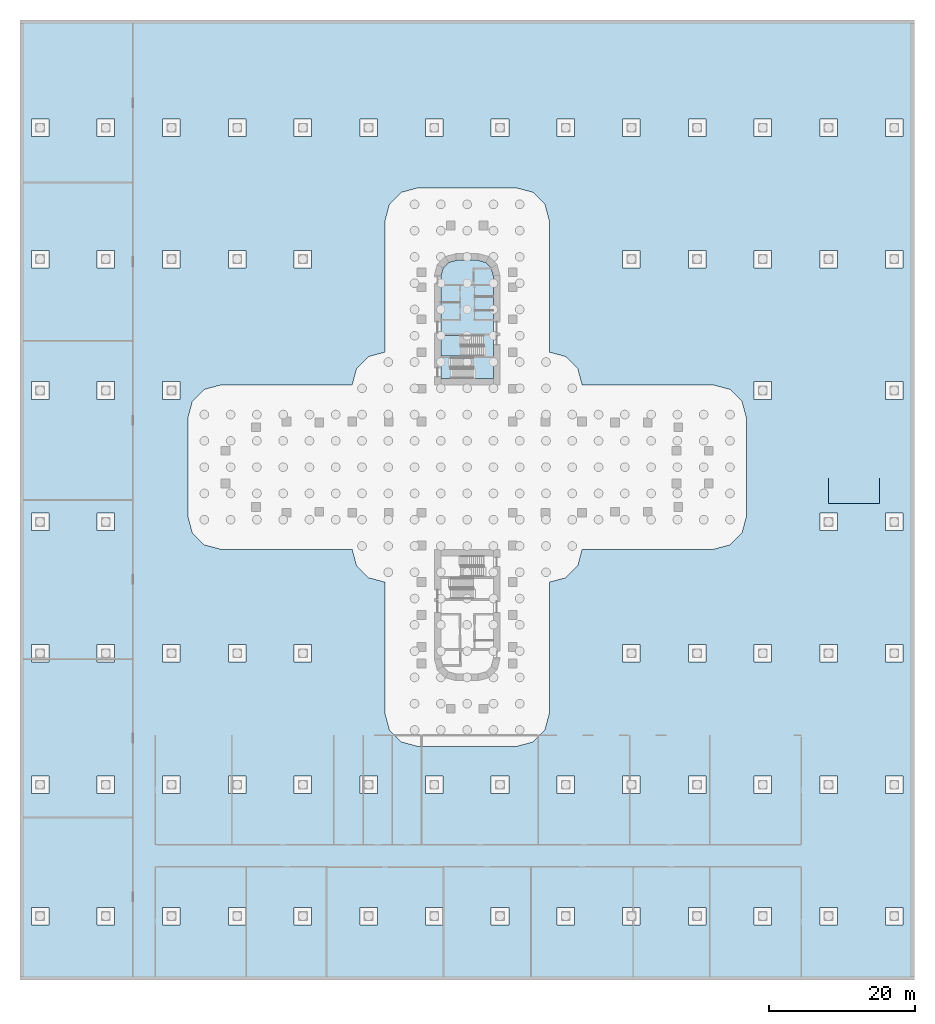
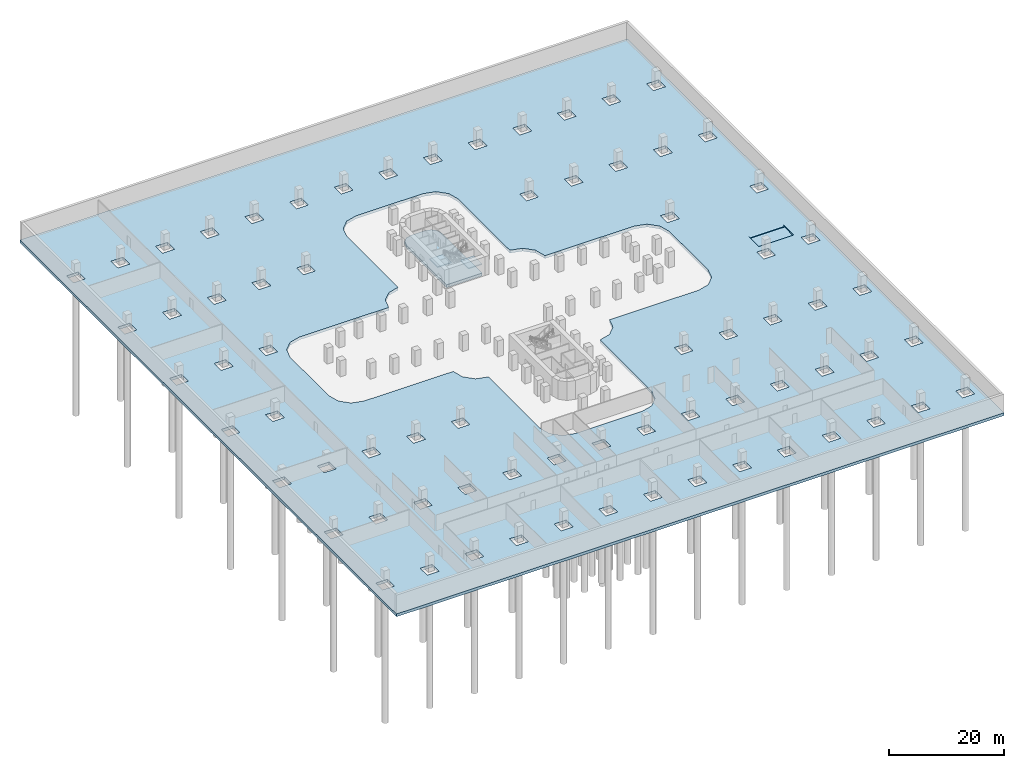
# One storey, part 3 of 14: 4 slabs, 2 openings, 2 elements without a shape of their own.
"""IFC4 building model written with IfcOpenShell, lengths in metres."""

from ifc_helpers import new_model, si_unit, direction, frame, origin, place, context, subcontext, project, spatial, polyline, outline, extrude, material, layer, layer_set, type_object, element, aggregate, save


model = new_model("IFC4")

# Units and contexts
model_context = context("Model", 3, precision=1e-05, world=origin(), true_north=direction((0.0, 1.0)))
body_context = subcontext(model_context, "Body", "Model", "MODEL_VIEW")
ifc_project = project(units=[si_unit("LENGTHUNIT", "METRE"), si_unit("AREAUNIT", "SQUARE_METRE"), si_unit("VOLUMEUNIT", "CUBIC_METRE"), si_unit("PLANEANGLEUNIT", "RADIAN"), si_unit("MASSUNIT", "GRAM", prefix="KILO")], contexts=[model_context])

# Site, building, storey
site_placement = place(None, origin())
site = spatial("IfcSite", under=ifc_project, at=site_placement, CompositionType="ELEMENT")
building_placement = place(site_placement, origin())
building = spatial("IfcBuilding", under=site, at=building_placement, Name="Zarbagh Exchange Tower", CompositionType="ELEMENT")
storey_placement = place(building_placement, frame((0.0, 0.0, -8.0)))
storey = spatial("IfcBuildingStorey", under=building, at=storey_placement, Name="B2", CompositionType="ELEMENT", Elevation=-8.0)

# Slab, openings
ifc_material = material(Name="Concrete C40/50", Category="concrete")
ifc_layer_1 = layer(ifc_material, 0.60009765625)
ifc_layer_set_1 = layer_set([ifc_layer_1], Name="Base slab 600 C40/50")
slab_type_1 = type_object("IfcSlabType", Name="Base slab 600 C40/50", PredefinedType="BASESLAB", material=ifc_layer_set_1)
slab_1_placement = place(storey_placement, frame((0.0, 0.0, -0.60009765625)))
slab_1 = element("IfcSlab", 1, at=slab_1_placement, inside=storey, type_object=slab_type_1, Name="S1 base slab", PredefinedType="BASESLAB", context=body_context, shape_type="SweptSolid", body=[
    extrude(outline(polyline([(61.25, -70.25), (-61.25, -70.25), (-61.25, 61.25), (61.25, 61.25), (61.25, -70.25)]), holes=[polyline([(11.25, -33.75), (11.25, -15.75), (13.5, -15.147216796875), (15.147216796875, -13.5), (15.75, -11.25), (33.75, -11.25), (36.0, -10.647216796875), (37.647216796875, -9.0), (38.25, -6.75), (38.25, 6.75), (37.647216796875, 9.0), (36.0, 10.647216796875), (33.75, 11.25), (15.75, 11.25), (15.147216796875, 13.5), (13.5, 15.147216796875), (11.25, 15.75), (11.25, 33.75), (10.647216796875, 36.0), (9.0, 37.647216796875), (6.75, 38.25), (-6.75, 38.25), (-9.0, 37.647216796875), (-10.647216796875, 36.0), (-11.25, 33.75), (-11.25, 15.75), (-13.5, 15.147216796875), (-15.147216796875, 13.5), (-15.75, 11.25), (-33.75, 11.25), (-36.0, 10.647216796875), (-37.647216796875, 9.0), (-38.25, 6.75), (-38.25, -6.75), (-37.647216796875, -9.0), (-36.0, -10.647216796875), (-33.75, -11.25), (-15.75, -11.25), (-15.147216796875, -13.5), (-13.5, -15.147216796875), (-11.25, -15.75), (-11.25, -33.75), (-10.647216796875, -36.0), (-9.0, -37.647216796875), (-6.75, -38.25), (6.75, -38.25), (9.0, -37.647216796875), (10.647216796875, -36.0), (11.25, -33.75)]), polyline([(-57.300048828125, -62.699951171875), (-57.300048828125, -60.300048828125), (-59.699951171875, -60.300048828125), (-59.699951171875, -62.699951171875), (-57.300048828125, -62.699951171875)]), polyline([(-39.300048828125, -62.699951171875), (-39.300048828125, -60.300048828125), (-41.699951171875, -60.300048828125), (-41.699951171875, -62.699951171875), (-39.300048828125, -62.699951171875)]), polyline([(-30.300048828125, -62.699951171875), (-30.300048828125, -60.300048828125), (-32.699951171875, -60.300048828125), (-32.699951171875, -62.699951171875), (-30.300048828125, -62.699951171875)]), polyline([(-48.300048828125, -62.699951171875), (-48.300048828125, -60.300048828125), (-50.699951171875, -60.300048828125), (-50.699951171875, -62.699951171875), (-48.300048828125, -62.699951171875)]), polyline([(-39.300048828125, -44.699951171875), (-39.300048828125, -42.300048828125), (-41.699951171875, -42.300048828125), (-41.699951171875, -44.699951171875), (-39.300048828125, -44.699951171875)]), polyline([(-30.300048828125, -44.699951171875), (-30.300048828125, -42.300048828125), (-32.699951171875, -42.300048828125), (-32.699951171875, -44.699951171875), (-30.300048828125, -44.699951171875)]), polyline([(-48.300048828125, -44.699951171875), (-48.300048828125, -42.300048828125), (-50.699951171875, -42.300048828125), (-50.699951171875, -44.699951171875), (-48.300048828125, -44.699951171875)]), polyline([(-57.300048828125, -44.699951171875), (-57.300048828125, -42.300048828125), (-59.699951171875, -42.300048828125), (-59.699951171875, -44.699951171875), (-57.300048828125, -44.699951171875)]), polyline([(-57.300048828125, -26.699951171875), (-57.300048828125, -24.300048828125), (-59.699951171875, -24.300048828125), (-59.699951171875, -26.699951171875), (-57.300048828125, -26.699951171875)]), polyline([(-48.300048828125, -26.699951171875), (-48.300048828125, -24.300048828125), (-50.699951171875, -24.300048828125), (-50.699951171875, -26.699951171875), (-48.300048828125, -26.699951171875)]), polyline([(-30.300048828125, -26.699951171875), (-30.300048828125, -24.300048828125), (-32.699951171875, -24.300048828125), (-32.699951171875, -26.699951171875), (-30.300048828125, -26.699951171875)]), polyline([(-39.300048828125, -26.699951171875), (-39.300048828125, -24.300048828125), (-41.699951171875, -24.300048828125), (-41.699951171875, -26.699951171875), (-39.300048828125, -26.699951171875)]), polyline([(-48.300048828125, -8.699951171875), (-48.300048828125, -6.300048828125), (-50.699951171875, -6.300048828125), (-50.699951171875, -8.699951171875), (-48.300048828125, -8.699951171875)]), polyline([(-57.300048828125, -8.699951171875), (-57.300048828125, -6.300048828125), (-59.699951171875, -6.300048828125), (-59.699951171875, -8.699951171875), (-57.300048828125, -8.699951171875)]), polyline([(-57.300048828125, 9.300048828125), (-57.300048828125, 11.699951171875), (-59.699951171875, 11.699951171875), (-59.699951171875, 9.300048828125), (-57.300048828125, 9.300048828125)]), polyline([(-50.699951171875, 9.300048828125), (-48.300048828125, 9.300048828125), (-48.300048828125, 11.699951171875), (-50.699951171875, 11.699951171875), (-50.699951171875, 9.300048828125)]), polyline([(-41.699951171875, 9.300048828125), (-39.300048828125, 9.300048828125), (-39.300048828125, 11.699951171875), (-41.699951171875, 11.699951171875), (-41.699951171875, 9.300048828125)]), polyline([(-30.300048828125, 27.300048828125), (-30.300048828125, 29.699951171875), (-32.699951171875, 29.699951171875), (-32.699951171875, 27.300048828125), (-30.300048828125, 27.300048828125)]), polyline([(-39.300048828125, 27.300048828125), (-39.300048828125, 29.699951171875), (-41.699951171875, 29.699951171875), (-41.699951171875, 27.300048828125), (-39.300048828125, 27.300048828125)]), polyline([(-48.300048828125, 27.300048828125), (-48.300048828125, 29.699951171875), (-50.699951171875, 29.699951171875), (-50.699951171875, 27.300048828125), (-48.300048828125, 27.300048828125)]), polyline([(-57.300048828125, 27.300048828125), (-57.300048828125, 29.699951171875), (-59.699951171875, 29.699951171875), (-59.699951171875, 27.300048828125), (-57.300048828125, 27.300048828125)]), polyline([(-39.300048828125, 45.300048828125), (-39.300048828125, 47.699951171875), (-41.699951171875, 47.699951171875), (-41.699951171875, 45.300048828125), (-39.300048828125, 45.300048828125)]), polyline([(-48.300048828125, 45.300048828125), (-48.300048828125, 47.699951171875), (-50.699951171875, 47.699951171875), (-50.699951171875, 45.300048828125), (-48.300048828125, 45.300048828125)]), polyline([(-57.300048828125, 45.300048828125), (-57.300048828125, 47.699951171875), (-59.699951171875, 47.699951171875), (-59.699951171875, 45.300048828125), (-57.300048828125, 45.300048828125)]), polyline([(3.300048828125, -62.699951171875), (5.699951171875, -62.699951171875), (5.699951171875, -60.300048828125), (3.300048828125, -60.300048828125), (3.300048828125, -62.699951171875)]), polyline([(30.300048828125, -62.699951171875), (32.699951171875, -62.699951171875), (32.699951171875, -60.300048828125), (30.300048828125, -60.300048828125), (30.300048828125, -62.699951171875)]), polyline([(23.699951171875, -62.699951171875), (23.699951171875, -60.300048828125), (21.300048828125, -60.300048828125), (21.300048828125, -62.699951171875), (23.699951171875, -62.699951171875)]), polyline([(14.699951171875, -62.699951171875), (14.699951171875, -60.300048828125), (12.300048828125, -60.300048828125), (12.300048828125, -62.699951171875), (14.699951171875, -62.699951171875)]), polyline([(-3.300048828125, -62.699951171875), (-3.300048828125, -60.300048828125), (-5.699951171875, -60.300048828125), (-5.699951171875, -62.699951171875), (-3.300048828125, -62.699951171875)]), polyline([(-12.300048828125, -62.699951171875), (-12.300048828125, -60.300048828125), (-14.699951171875, -60.300048828125), (-14.699951171875, -62.699951171875), (-12.300048828125, -62.699951171875)]), polyline([(-21.300048828125, -62.699951171875), (-21.300048828125, -60.300048828125), (-23.699951171875, -60.300048828125), (-23.699951171875, -62.699951171875), (-21.300048828125, -62.699951171875)]), polyline([(-12.300048828125, -44.699951171875), (-12.300048828125, -42.300048828125), (-14.699951171875, -42.300048828125), (-14.699951171875, -44.699951171875), (-12.300048828125, -44.699951171875)]), polyline([(23.699951171875, -44.699951171875), (23.699951171875, -42.300048828125), (21.300048828125, -42.300048828125), (21.300048828125, -44.699951171875), (23.699951171875, -44.699951171875)]), polyline([(12.300048828125, -44.699951171875), (14.699951171875, -44.699951171875), (14.699951171875, -42.300048828125), (12.300048828125, -42.300048828125), (12.300048828125, -44.699951171875)]), polyline([(3.300048828125, -44.699951171875), (5.699951171875, -44.699951171875), (5.699951171875, -42.300048828125), (3.300048828125, -42.300048828125), (3.300048828125, -44.699951171875)]), polyline([(-3.300048828125, -44.699951171875), (-3.300048828125, -42.300048828125), (-5.699951171875, -42.300048828125), (-5.699951171875, -44.699951171875), (-3.300048828125, -44.699951171875)]), polyline([(-21.300048828125, -44.699951171875), (-21.300048828125, -42.300048828125), (-23.699951171875, -42.300048828125), (-23.699951171875, -44.699951171875), (-21.300048828125, -44.699951171875)]), polyline([(-21.300048828125, -26.699951171875), (-21.300048828125, -24.300048828125), (-23.699951171875, -24.300048828125), (-23.699951171875, -26.699951171875), (-21.300048828125, -26.699951171875)]), polyline([(23.699951171875, -26.699951171875), (23.699951171875, -24.300048828125), (21.300048828125, -24.300048828125), (21.300048828125, -26.699951171875), (23.699951171875, -26.699951171875)]), polyline([(-21.300048828125, 27.300048828125), (-21.300048828125, 29.699951171875), (-23.699951171875, 29.699951171875), (-23.699951171875, 27.300048828125), (-21.300048828125, 27.300048828125)]), polyline([(23.699951171875, 27.300048828125), (23.699951171875, 29.699951171875), (21.300048828125, 29.699951171875), (21.300048828125, 27.300048828125), (23.699951171875, 27.300048828125)]), polyline([(-30.300048828125, 45.300048828125), (-30.300048828125, 47.699951171875), (-32.699951171875, 47.699951171875), (-32.699951171875, 45.300048828125), (-30.300048828125, 45.300048828125)]), polyline([(3.300048828125, 45.300048828125), (5.699951171875, 45.300048828125), (5.699951171875, 47.699951171875), (3.300048828125, 47.699951171875), (3.300048828125, 45.300048828125)]), polyline([(-5.699951171875, 45.300048828125), (-3.300048828125, 45.300048828125), (-3.300048828125, 47.699951171875), (-5.699951171875, 47.699951171875), (-5.699951171875, 45.300048828125)]), polyline([(14.699951171875, 45.300048828125), (14.699951171875, 47.699951171875), (12.300048828125, 47.699951171875), (12.300048828125, 45.300048828125), (14.699951171875, 45.300048828125)]), polyline([(23.699951171875, 45.300048828125), (23.699951171875, 47.699951171875), (21.300048828125, 47.699951171875), (21.300048828125, 45.300048828125), (23.699951171875, 45.300048828125)]), polyline([(-12.300048828125, 45.300048828125), (-12.300048828125, 47.699951171875), (-14.699951171875, 47.699951171875), (-14.699951171875, 45.300048828125), (-12.300048828125, 45.300048828125)]), polyline([(-21.300048828125, 45.300048828125), (-21.300048828125, 47.699951171875), (-23.699951171875, 47.699951171875), (-23.699951171875, 45.300048828125), (-21.300048828125, 45.300048828125)]), polyline([(41.699951171875, -62.699951171875), (41.699951171875, -60.300048828125), (39.300048828125, -60.300048828125), (39.300048828125, -62.699951171875), (41.699951171875, -62.699951171875)]), polyline([(59.699951171875, -62.699951171875), (59.699951171875, -60.300048828125), (57.300048828125, -60.300048828125), (57.300048828125, -62.699951171875), (59.699951171875, -62.699951171875)]), polyline([(50.699951171875, -62.699951171875), (50.699951171875, -60.300048828125), (48.300048828125, -60.300048828125), (48.300048828125, -62.699951171875), (50.699951171875, -62.699951171875)]), polyline([(30.300048828125, -44.699951171875), (32.699951171875, -44.699951171875), (32.699951171875, -42.300048828125), (30.300048828125, -42.300048828125), (30.300048828125, -44.699951171875)]), polyline([(57.300048828125, -44.699951171875), (59.699951171875, -44.699951171875), (59.699951171875, -42.300048828125), (57.300048828125, -42.300048828125), (57.300048828125, -44.699951171875)]), polyline([(50.699951171875, -44.699951171875), (50.699951171875, -42.300048828125), (48.300048828125, -42.300048828125), (48.300048828125, -44.699951171875), (50.699951171875, -44.699951171875)]), polyline([(41.699951171875, -44.699951171875), (41.699951171875, -42.300048828125), (39.300048828125, -42.300048828125), (39.300048828125, -44.699951171875), (41.699951171875, -44.699951171875)]), polyline([(32.699951171875, -26.699951171875), (32.699951171875, -24.300048828125), (30.300048828125, -24.300048828125), (30.300048828125, -26.699951171875), (32.699951171875, -26.699951171875)]), polyline([(59.699951171875, -26.699951171875), (59.699951171875, -24.300048828125), (57.300048828125, -24.300048828125), (57.300048828125, -26.699951171875), (59.699951171875, -26.699951171875)]), polyline([(50.699951171875, -26.699951171875), (50.699951171875, -24.300048828125), (48.300048828125, -24.300048828125), (48.300048828125, -26.699951171875), (50.699951171875, -26.699951171875)]), polyline([(41.699951171875, -26.699951171875), (41.699951171875, -24.300048828125), (39.300048828125, -24.300048828125), (39.300048828125, -26.699951171875), (41.699951171875, -26.699951171875)]), polyline([(50.699951171875, -8.699951171875), (50.699951171875, -6.300048828125), (48.300048828125, -6.300048828125), (48.300048828125, -8.699951171875), (50.699951171875, -8.699951171875)]), polyline([(57.300048828125, -8.699951171875), (59.699951171875, -8.699951171875), (59.699951171875, -6.300048828125), (57.300048828125, -6.300048828125), (57.300048828125, -8.699951171875)]), polyline([(39.300048828125, 9.300048828125), (41.699951171875, 9.300048828125), (41.699951171875, 11.699951171875), (39.300048828125, 11.699951171875), (39.300048828125, 9.300048828125)]), polyline([(59.699951171875, 9.300048828125), (59.699951171875, 11.699951171875), (57.300048828125, 11.699951171875), (57.300048828125, 9.300048828125), (59.699951171875, 9.300048828125)]), polyline([(41.699951171875, 27.300048828125), (41.699951171875, 29.699951171875), (39.300048828125, 29.699951171875), (39.300048828125, 27.300048828125), (41.699951171875, 27.300048828125)]), polyline([(50.699951171875, 27.300048828125), (50.699951171875, 29.699951171875), (48.300048828125, 29.699951171875), (48.300048828125, 27.300048828125), (50.699951171875, 27.300048828125)]), polyline([(32.699951171875, 27.300048828125), (32.699951171875, 29.699951171875), (30.300048828125, 29.699951171875), (30.300048828125, 27.300048828125), (32.699951171875, 27.300048828125)]), polyline([(59.699951171875, 27.300048828125), (59.699951171875, 29.699951171875), (57.300048828125, 29.699951171875), (57.300048828125, 27.300048828125), (59.699951171875, 27.300048828125)]), polyline([(50.699951171875, 45.300048828125), (50.699951171875, 47.699951171875), (48.300048828125, 47.699951171875), (48.300048828125, 45.300048828125), (50.699951171875, 45.300048828125)]), polyline([(41.699951171875, 45.300048828125), (41.699951171875, 47.699951171875), (39.300048828125, 47.699951171875), (39.300048828125, 45.300048828125), (41.699951171875, 45.300048828125)]), polyline([(30.300048828125, 45.300048828125), (32.699951171875, 45.300048828125), (32.699951171875, 47.699951171875), (30.300048828125, 47.699951171875), (30.300048828125, 45.300048828125)]), polyline([(57.300048828125, 45.300048828125), (59.699951171875, 45.300048828125), (59.699951171875, 47.699951171875), (57.300048828125, 47.699951171875), (57.300048828125, 45.300048828125)])]), origin(), (0.0, 0.0, 1.0), 0.60009765625),
])
opening_1_placement = place(storey_placement, frame((49.5, -2.0, 0.25), z_axis=(0.0, -0.164398987305, 0.986393923832), x_axis=(1.0, 0.0, 0.0)))
element("IfcOpeningElement", 2, at=opening_1_placement, cuts=slab_1, Name="Recess for vehicle ramp R2 part 2", PredefinedType="RECESS", context=body_context, shape_type="SweptSolid", body=[
    extrude(outline(polyline([(0.0, 0.0), (7.0, 0.0), (7.0, 21.289668856043768), (0.0, 21.289668856043768), (0.0, 0.0)])), origin(), (0.0, 0.0, -1.0), 0.35009765625),
])
opening_2_placement = place(storey_placement, frame((49.5, -5.0, 0.0), z_axis=(0.0, -0.083045479854, 0.996545758245), x_axis=(1.0, 0.0, 0.0)))
element("IfcOpeningElement", 3, at=opening_2_placement, cuts=slab_1, Name="Recess for vehicle ramp R2 part 3", PredefinedType="RECESS", context=body_context, shape_type="SweptSolid", body=[
    extrude(outline(polyline([(0.0, 0.0), (7.0, 0.0), (7.0, 3.010398644698074), (0.0, 3.010398644698074), (0.0, 0.0)])), origin(), (0.0, 0.0, -1.0), 0.35009765625),
])

# Slab
ifc_layer_2 = layer(ifc_material, 0.60009765625)
ifc_layer_set_2 = layer_set([ifc_layer_2], Name="Core base slab 600 C40/50")
slab_type_2 = type_object("IfcSlabType", Name="Core base slab 600 C40/50", PredefinedType="BASESLAB", material=ifc_layer_set_2)
slab_2_placement = place(storey_placement, frame((0.0, 0.0, -0.60009765625)))
element("IfcSlab", 4, at=slab_2_placement, inside=storey, type_object=slab_type_2, Name="S13 core N", PredefinedType="BASESLAB", context=body_context, shape_type="SweptSolid", body=[
    extrude(outline(polyline([(3.60009765625, 12.14990234375), (-3.60009765625, 12.14990234375), (-3.60009765625, 26.131591796875), (-3.291259765625, 27.2841796875), (-2.5341796875, 28.041259765625), (-1.381591796875, 28.35009765625), (1.381591796875, 28.35009765625), (2.5341796875, 28.041259765625), (3.291259765625, 27.2841796875), (3.60009765625, 26.131591796875), (3.60009765625, 12.14990234375)])), origin(), (0.0, 0.0, 1.0), 0.60009765625),
])

# Stair, slab
stair_type = type_object("IfcStairType", Name="Exit stair two-flight half-turn", PredefinedType="HALF_TURN_STAIR", material=ifc_material)
stair_1_placement = place(storey_placement, origin())
stair_1 = element("IfcStair", 5, at=stair_1_placement, inside=storey, type_object=stair_type, Name="exit stair ST1", PredefinedType="HALF_TURN_STAIR")
ifc_layer_3 = layer(ifc_material, 0.199951171875)
ifc_layer_set_3 = layer_set([ifc_layer_3], Name="Stair landing 200 mm")
slab_type_3 = type_object("IfcSlabType", Name="Stair landing 200 mm", PredefinedType="LANDING", material=ifc_layer_set_3)
slab_3_placement = place(storey_placement, frame((0.0, 0.0, 1.800048828125)))
slab_3 = element("IfcSlab", 6, at=slab_3_placement, type_object=slab_type_3, Name="ST1 landing 1", PredefinedType="LANDING", context=body_context, shape_type="SweptSolid", body=[
    extrude(outline(polyline([(-0.830078125, 18.050048828125), (-3.60009765625, 18.050048828125), (-3.60009765625, 15.199951171875), (-0.830078125, 15.199951171875), (-0.830078125, 18.050048828125)])), origin(), (0.0, 0.0, 1.0), 0.199951171875),
])
aggregate(stair_1, [slab_3])

stair_2_placement = place(storey_placement, origin())
stair_2 = element("IfcStair", 7, at=stair_2_placement, inside=storey, type_object=stair_type, Name="exit stair ST2", PredefinedType="HALF_TURN_STAIR")
slab_4_placement = place(storey_placement, frame((0.0, 0.0, 1.800048828125)))
slab_4 = element("IfcSlab", 8, at=slab_4_placement, type_object=slab_type_3, Name="ST2 landing 1", PredefinedType="LANDING", context=body_context, shape_type="SweptSolid", body=[
    extrude(outline(polyline([(0.830078125, 12.14990234375), (3.60009765625, 12.14990234375), (3.60009765625, 15.0), (0.830078125, 15.0), (0.830078125, 12.14990234375)])), origin(), (0.0, 0.0, 1.0), 0.199951171875),
])
aggregate(stair_2, [slab_4])

save(model, "model.ifc")
